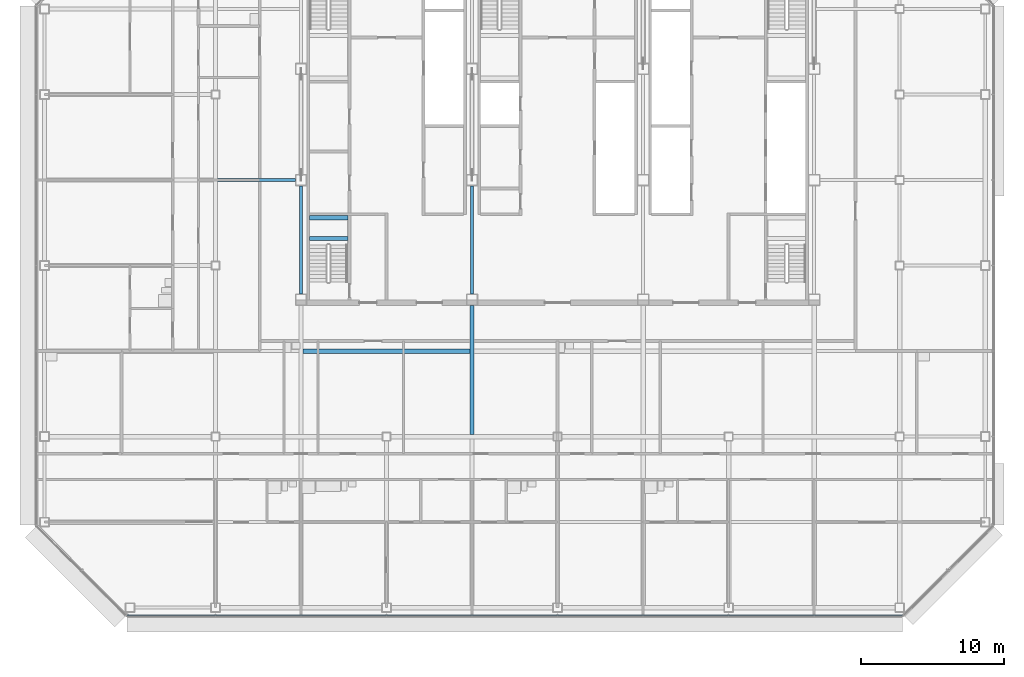
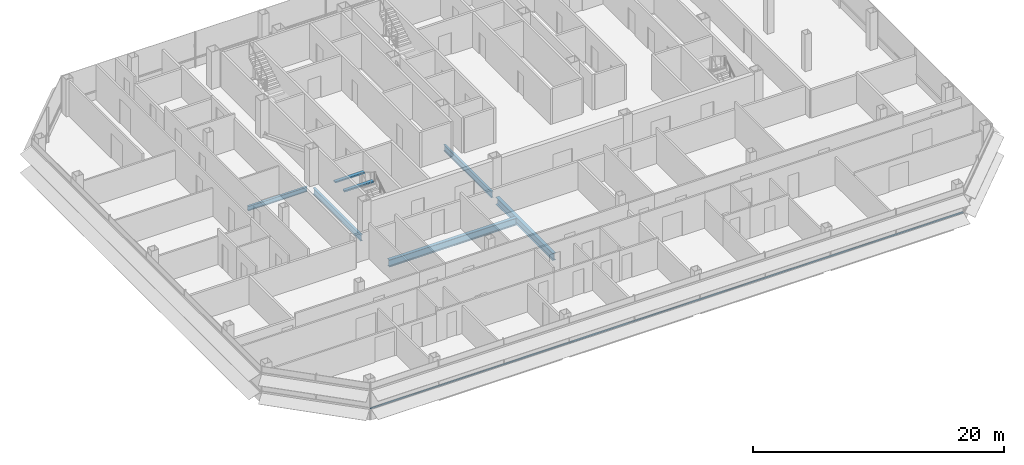
# One storey, part 7 of 27: 7 beams, 1 member, 1 element without a shape of its own.
"""IFC4 building model written with IfcOpenShell, lengths in metres."""

from ifc_helpers import new_model, si_unit, direction, frame, origin, origin_2d, place, context, subcontext, project, spatial, rectangle, i_section, extrude, material, material_profile, profile_set, type_object, element, aggregate, save


model = new_model("IFC4")

# Units and contexts
model_context = context("Model", 3, precision=1e-05, world=origin(), true_north=direction((0.0, 1.0)))
body_context = subcontext(model_context, "Body", "Model", "MODEL_VIEW")
ifc_project = project(units=[si_unit("LENGTHUNIT", "METRE"), si_unit("AREAUNIT", "SQUARE_METRE"), si_unit("VOLUMEUNIT", "CUBIC_METRE"), si_unit("PLANEANGLEUNIT", "RADIAN"), si_unit("MASSUNIT", "GRAM", prefix="KILO")], contexts=[model_context])

# Site, building, storey
site_placement = place(None, origin())
site = spatial("IfcSite", under=ifc_project, at=site_placement, CompositionType="ELEMENT")
building_placement = place(site_placement, origin())
building = spatial("IfcBuilding", under=site, at=building_placement, Name="Sorahane Residences", CompositionType="ELEMENT")
storey_placement = place(building_placement, frame((0.0, 0.0, 226.199951171875)))
storey = spatial("IfcBuildingStorey", under=building, at=storey_placement, Name="L53", CompositionType="ELEMENT", Elevation=226.199951171875)

# Curtain wall, member
ifc_material_1 = material(Name="Dark low-e glass and black anodised aluminium", Category="aluminium")
curtain_wall_type = type_object("IfcCurtainWallType", Name="Curtain wall CW-1 Typical unitised wall", PredefinedType="NOTDEFINED", material=ifc_material_1)
curtain_wall_placement = place(storey_placement, origin())
curtain_wall = element("IfcCurtainWall", 1, at=curtain_wall_placement, inside=storey, type_object=curtain_wall_type, Name="CW-1 curtain wall L53 S1", PredefinedType="NOTDEFINED")
ifc_material_2 = material(Name="Black anodised aluminium", Category="aluminium")
ifc_material_profile_1 = material_profile(ifc_material_2, rectangle(XDim=0.10009765625, YDim=0.06005859375, at=origin_2d()), Name="Curtain wall transom CW-1 black anodised aluminium 60x100")
ifc_profile_set_1 = profile_set([ifc_material_profile_1], Name="Black anodised aluminium")
member_type = type_object("IfcMemberType", Name="Curtain wall transom CW-1 black anodised aluminium 60x100", PredefinedType="USERDEFINED", material=ifc_profile_set_1)
member_placement = place(storey_placement, frame((-6.198486328125, -0.530029296875, 0.900146484375), z_axis=(1.0, 0.0, 0.0), x_axis=(0.0, 1.0, 0.0)))
member = element("IfcMember", 2, at=member_placement, type_object=member_type, Name="CW-1 transom L53 S1", ObjectType="TRANSOM", PredefinedType="USERDEFINED", context=body_context, shape_type="SweptSolid", body=[
    extrude(rectangle(XDim=0.10009765625, YDim=0.06005859375, at=origin_2d()), origin(), (0.0, 0.0, 1.0), 54.39697265625),
])
aggregate(curtain_wall, [member])

# Beams
ifc_material_3 = material(Name="Concrete C40", Category="concrete")
ifc_material_profile_2 = material_profile(ifc_material_3, rectangle(XDim=0.300048828125, YDim=0.139892578125, at=origin_2d()), Name="300x140")
ifc_profile_set_2 = profile_set([ifc_material_profile_2], Name="Concrete C40")
beam_type_1 = type_object("IfcBeamType", Name="RC landing beam 300 x 140 Concrete C40", PredefinedType="BEAM", material=ifc_profile_set_2)
for number, where, z_axis, x_axis, name in (
    (3, (6.60009765625, 25.89990234375, 1.530029296875), (1.0, 0.0, 0.0), (0.0, 1.0, 0.0), "Landing beam"),
    (4, (6.60009765625, 27.35009765625, 1.530029296875), (1.0, 0.0, 0.0), (0.0, 1.0, 0.0), "Landing beam"),
):
    element("IfcBeam", number, at=place(storey_placement, frame(where, z_axis=z_axis, x_axis=x_axis)), inside=storey, type_object=beam_type_1, Name=name, PredefinedType="BEAM", context=body_context, shape_type="SweptSolid", body=[
        extrude(rectangle(XDim=0.300048828125, YDim=0.139892578125, at=origin_2d()), origin(), (0.0, 0.0, 1.0), 2.699951171875),
    ])
ifc_material_4 = material(Name="Steel Q355B", Category="steel")
ifc_material_profile_3 = material_profile(ifc_material_4, i_section(OverallWidth=0.199951171875, OverallDepth=0.449951171875, WebThickness=0.009033203125, FlangeThickness=0.013916015625, FilletRadius=0.02001953125, at=origin_2d()), Name="HN 450x200x9x14")
ifc_profile_set_3 = profile_set([ifc_material_profile_3], Name="Steel Q355B")
beam_type_2 = type_object("IfcBeamType", Name="Steel floor beam HN 450x200x9x14 Q355B", PredefinedType="BEAM", material=ifc_profile_set_3)
beam_1_placement = place(storey_placement, frame((0.14990234375, 30.0, -0.405029296875), z_axis=(1.0, 0.0, 0.0), x_axis=(0.0, 1.0, 0.0)))
element("IfcBeam", 5, at=beam_1_placement, inside=storey, type_object=beam_type_2, Name="Beam L53 086", PredefinedType="BEAM", context=body_context, shape_type="SweptSolid", body=[
    extrude(i_section(OverallWidth=0.199951171875, OverallDepth=0.449951171875, WebThickness=0.009033203125, FlangeThickness=0.013916015625, FilletRadius=0.02001953125, at=origin_2d()), origin(), (0.0, 0.0, 1.0), 5.4501953125),
])
ifc_material_5 = material(Name="Steel Q355B", Category="steel")
ifc_material_profile_4 = material_profile(ifc_material_5, i_section(OverallWidth=0.199951171875, OverallDepth=0.60009765625, WebThickness=0.010986328125, FlangeThickness=0.01708984375, FilletRadius=0.02392578125, at=origin_2d()), Name="HN 600x200x11x17")
ifc_profile_set_4 = profile_set([ifc_material_profile_4], Name="Steel Q355B")
beam_type_3 = type_object("IfcBeamType", Name="Steel floor beam HN 600x200x11x17 Q355B", PredefinedType="BEAM", material=ifc_profile_set_4)
for number, where, z_axis, x_axis, name in (
    (6, (6.0, 22.0, -0.47998046875), (0.0, 1.0, 0.0), (-1.0, 0.0, 0.0), "Beam L53 030"),
    (7, (18.0, 22.0, -0.47998046875), (0.0, 1.0, 0.0), (-1.0, 0.0, 0.0), "Beam L53 038"),
):
    element("IfcBeam", number, at=place(storey_placement, frame(where, z_axis=z_axis, x_axis=x_axis)), inside=storey, type_object=beam_type_3, Name=name, PredefinedType="BEAM", context=body_context, shape_type="SweptSolid", body=[
        extrude(i_section(OverallWidth=0.199951171875, OverallDepth=0.60009765625, WebThickness=0.010986328125, FlangeThickness=0.01708984375, FilletRadius=0.02392578125, at=origin_2d()), origin(), (0.0, 0.0, 1.0), 7.60009765625),
    ])
ifc_material_6 = material(Name="Steel Q355B", Category="steel")
ifc_material_profile_5 = material_profile(ifc_material_6, i_section(OverallWidth=0.300048828125, OverallDepth=0.699951171875, WebThickness=0.012939453125, FlangeThickness=0.02392578125, FilletRadius=0.028076171875, at=origin_2d()), Name="HN 700x300x13x24")
ifc_profile_set_5 = profile_set([ifc_material_profile_5], Name="Steel Q355B")
beam_type_4 = type_object("IfcBeamType", Name="Steel floor beam HN 700x300x13x24 Q355B", PredefinedType="BEAM", material=ifc_profile_set_5)
beam_2_placement = place(storey_placement, frame((18.0, 12.14990234375, -0.530029296875), z_axis=(0.0, 1.0, 0.0), x_axis=(-1.0, 0.0, 0.0)))
element("IfcBeam", 8, at=beam_2_placement, inside=storey, type_object=beam_type_4, Name="Beam L53 037", PredefinedType="BEAM", context=body_context, shape_type="SweptSolid", body=[
    extrude(i_section(OverallWidth=0.300048828125, OverallDepth=0.699951171875, WebThickness=0.012939453125, FlangeThickness=0.02392578125, FilletRadius=0.028076171875, at=origin_2d()), origin(), (0.0, 0.0, 1.0), 9.050048828125),
])
beam_3_placement = place(storey_placement, frame((6.14990234375, 18.0, -0.530029296875), z_axis=(1.0, 0.0, 0.0), x_axis=(0.0, 1.0, 0.0)))
element("IfcBeam", 9, at=beam_3_placement, inside=storey, type_object=beam_type_4, Name="Beam L53 080", PredefinedType="BEAM", context=body_context, shape_type="SweptSolid", body=[
    extrude(i_section(OverallWidth=0.300048828125, OverallDepth=0.699951171875, WebThickness=0.012939453125, FlangeThickness=0.02392578125, FilletRadius=0.028076171875, at=origin_2d()), origin(), (0.0, 0.0, 1.0), 11.7001953125),
])

save(model, "model.ifc")
